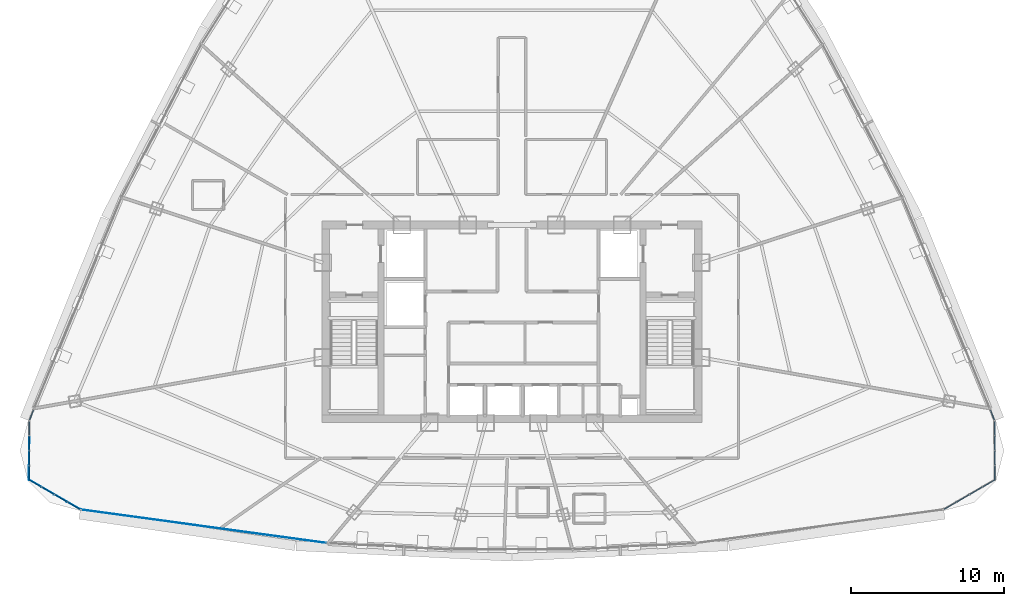
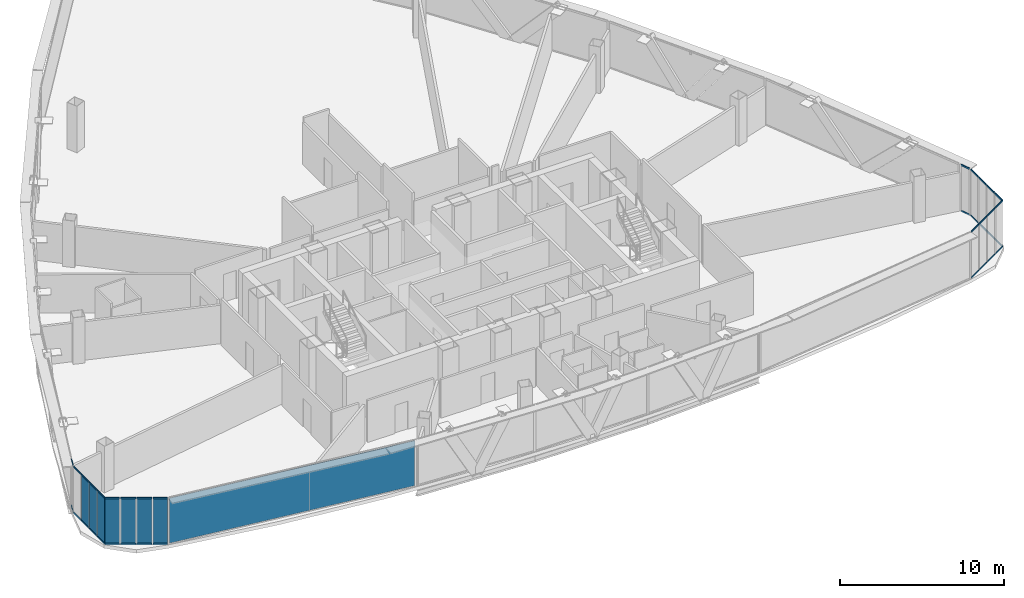
# One storey, part 29 of 39: 36 members, 8 plates, 7 elements without a shape of their own.
"""IFC4 building model written with IfcOpenShell, lengths in metres."""

import ifcopenshell
import ifcopenshell.guid

model = None  # the IFC model being written
_history = None  # IfcOwnerHistory: only IFC2X3 demands one
_inside = {}  # id of a spatial element -> (the spatial element, [elements in it])
_under = {}  # id of a project, library or spatial element -> (it, [spatial elements below it])
_declared = {}  # id of a project -> (the project, [libraries it declares])
_typed = {}  # id of a type object -> (the type object, [elements of that type])
_made_of = {}  # id of a material, layer set ... -> (it, [elements and type objects made of it])


def new_model(schema):
    """Start an empty IFC model of exactly this schema.

    Asked for "IFC4X3", IfcOpenShell would pick the latest addendum, in which some entities
    have other attributes; the version numbers below select the first issue.
    IFC2X3 requires an IfcOwnerHistory on every rooted entity: one is made here for all.
    """
    global model, _history
    if schema == "IFC4X3":
        model = ifcopenshell.file(schema_version=(4, 3, 0, 0))
    else:
        model = ifcopenshell.file(schema=schema)
    _inside.clear()
    _under.clear()
    _declared.clear()
    _typed.clear()
    _made_of.clear()
    _history = None
    if model.schema == "IFC2X3":
        org = make("IfcOrganization", Name="unknown")
        user = make(
            "IfcPersonAndOrganization",
            ThePerson=make("IfcPerson", FamilyName="unknown"),
            TheOrganization=org,
        )
        app = make(
            "IfcApplication",
            ApplicationDeveloper=org,
            Version="unknown",
            ApplicationFullName="unknown",
            ApplicationIdentifier="unknown",
        )
        _history = make(
            "IfcOwnerHistory",
            OwningUser=user,
            OwningApplication=app,
            ChangeAction="ADDED",
            CreationDate=0,
        )
    return model


def make(cls, **values):
    """One entity of the class cls with the attributes given. An attribute that is None is left unset."""
    return model.create_entity(
        cls, **{name: value for name, value in values.items() if value is not None}
    )


def rooted(cls, **values):
    """An entity with a GlobalId (a new one), such as an element, a storey or a relation."""
    return make(cls, GlobalId=ifcopenshell.guid.new(), OwnerHistory=_history, **values)


def si_unit(unit_type, name, prefix=None):
    """IfcSIUnit, for example si_unit("LENGTHUNIT", "METRE", prefix="MILLI")."""
    return make("IfcSIUnit", UnitType=unit_type, Prefix=prefix, Name=name)


def assignment(units):
    """IfcUnitAssignment: the units of a project."""
    return None if units is None else make("IfcUnitAssignment", Units=units)


def point(xyz):
    """IfcCartesianPoint."""
    return None if xyz is None else make("IfcCartesianPoint", Coordinates=xyz)


def direction(xyz):
    """IfcDirection."""
    return None if xyz is None else make("IfcDirection", DirectionRatios=xyz)


def frame(location, z_axis=None, x_axis=None):
    """IfcAxis2Placement3D, a coordinate frame: its origin and axes. An axis left out is left unset."""
    return make(
        "IfcAxis2Placement3D",
        Location=point(location),
        Axis=direction(z_axis),
        RefDirection=direction(x_axis),
    )


def frame_2d(location, x_axis=None):
    """IfcAxis2Placement2D, a coordinate frame in the plane: its origin and x axis."""
    return make(
        "IfcAxis2Placement2D", Location=point(location), RefDirection=direction(x_axis)
    )


def origin():
    """The frame at (0, 0, 0) with its axes left unset."""
    return frame((0.0, 0.0, 0.0))


def origin_2d():
    """The frame at (0, 0) in the plane with its x axis left unset."""
    return frame_2d((0.0, 0.0))


def place(relative_to, where):
    """IfcLocalPlacement: puts the frame where relative to a parent placement (None: the world)."""
    return make(
        "IfcLocalPlacement", PlacementRelTo=relative_to, RelativePlacement=where
    )


def context(
    kind, dimensions, precision=None, world=None, true_north=None, identifier=None
):
    """IfcGeometricRepresentationContext, for example the 3D "Model" context."""
    return make(
        "IfcGeometricRepresentationContext",
        ContextIdentifier=identifier,
        ContextType=kind,
        CoordinateSpaceDimension=dimensions,
        Precision=precision,
        WorldCoordinateSystem=world,
        TrueNorth=true_north,
    )


def subcontext(parent, identifier, kind, view, scale=None):
    """IfcGeometricRepresentationSubContext, for example "Body" below "Model"."""
    return make(
        "IfcGeometricRepresentationSubContext",
        ContextIdentifier=identifier,
        ContextType=kind,
        ParentContext=parent,
        TargetScale=scale,
        TargetView=view,
    )


def project(units=None, contexts=None):
    """IfcProject with its units and contexts."""
    return rooted(
        "IfcProject",
        Name="project",
        RepresentationContexts=contexts,
        UnitsInContext=assignment(units),
    )


def spatial(cls, under=None, at=None, **own):
    """A site, building, storey or space (cls), placed at a placement, below another one or the project."""
    s = rooted(cls, ObjectPlacement=at, **own)
    if under is not None:
        _under.setdefault(under.id(), (under, []))[1].append(s)
    return s


def profile(cls, at=None, kind="AREA", **sizes):
    """A parametric profile (cls). Its sizes go by their IFC names, for example OverallWidth=200.0."""
    return make(cls, ProfileType=kind, Position=at, **sizes)


def rectangle(**sizes):
    """IfcRectangleProfileDef."""
    return profile("IfcRectangleProfileDef", **sizes)


def hollow_rectangle(**sizes):
    """IfcRectangleHollowProfileDef."""
    return profile("IfcRectangleHollowProfileDef", **sizes)


def extrude(swept, where, along, depth):
    """IfcExtrudedAreaSolid: the profile swept, set in the frame where, extruded along a direction by depth."""
    return make(
        "IfcExtrudedAreaSolid",
        SweptArea=swept,
        Position=where,
        ExtrudedDirection=direction(along),
        Depth=depth,
    )


def shape(context_of_items, identifier, shape_type, items):
    """IfcShapeRepresentation: the items that make up one representation, for example the "Body"."""
    return make(
        "IfcShapeRepresentation",
        ContextOfItems=context_of_items,
        RepresentationIdentifier=identifier,
        RepresentationType=shape_type,
        Items=items,
    )


def source(mapping_origin, context_of_items, identifier, shape_type, items):
    """IfcRepresentationMap: a shape defined once, which mapped items show again and again."""
    return make(
        "IfcRepresentationMap",
        MappingOrigin=mapping_origin,
        MappedRepresentation=shape(context_of_items, identifier, shape_type, items),
    )


def transform(
    local_origin,
    x_axis=None,
    y_axis=None,
    z_axis=None,
    scale=None,
    scale2=None,
    scale3=None,
    uniform=True,
):
    """IfcCartesianTransformationOperator3D, or its non-uniform kind. x_axis, y_axis, z_axis: its Axis1, 2, 3."""
    if uniform:
        return make(
            "IfcCartesianTransformationOperator3D",
            Axis1=direction(x_axis),
            Axis2=direction(y_axis),
            LocalOrigin=point(local_origin),
            Scale=scale,
            Axis3=direction(z_axis),
        )
    return make(
        "IfcCartesianTransformationOperator3DnonUniform",
        Axis1=direction(x_axis),
        Axis2=direction(y_axis),
        LocalOrigin=point(local_origin),
        Scale=scale,
        Axis3=direction(z_axis),
        Scale2=scale2,
        Scale3=scale3,
    )


def mapped(mapping_source, mapping_target):
    """IfcMappedItem: shows the shape of a source again, moved by a transform."""
    return make(
        "IfcMappedItem", MappingSource=mapping_source, MappingTarget=mapping_target
    )


def material(Name=None, Category=None):
    """IfcMaterial."""
    return make("IfcMaterial", Name=Name, Category=Category)


def layer(
    of_material, thickness, ventilated=None, Name=None, Category=None, Priority=None
):
    """IfcMaterialLayer: one layer of a wall or slab, of a material (None: an air gap)."""
    return make(
        "IfcMaterialLayer",
        Material=of_material,
        LayerThickness=thickness,
        IsVentilated=ventilated,
        Name=Name,
        Category=Category,
        Priority=Priority,
    )


def layer_set(layers, Name=None):
    """IfcMaterialLayerSet."""
    return make("IfcMaterialLayerSet", MaterialLayers=layers, LayerSetName=Name)


def material_profile(
    of_material, cross_section, Name=None, Category=None, Priority=None
):
    """IfcMaterialProfile: a cross section and its material."""
    return make(
        "IfcMaterialProfile",
        Name=Name,
        Material=of_material,
        Profile=cross_section,
        Priority=Priority,
        Category=Category,
    )


def profile_set(profiles, Name=None, composite=None):
    """IfcMaterialProfileSet."""
    return make(
        "IfcMaterialProfileSet",
        Name=Name,
        MaterialProfiles=profiles,
        CompositeProfile=composite,
    )


def made_of(thing, what):
    """Note that an element or type object is made of a material, layer set ...; save() writes the relation."""
    if what is not None:
        _made_of.setdefault(what.id(), (what, []))[1].append(thing)
    return thing


def type_object(cls, material=None, **own):
    """A type object (cls), such as IfcWallType, which elements share."""
    return made_of(rooted(cls, **own), material)


def element(
    cls,
    number,
    at=None,
    inside=None,
    cuts=None,
    type_object=None,
    material=None,
    context=None,
    identifier="Body",
    shape_type=None,
    held_by="IfcProductDefinitionShape",
    body=None,
    shapes=None,
    **own,
):
    """One element of the class cls, such as IfcWall. Its Tag is "e" and its number.

    at: its placement. inside: the storey or other place that contains it. cuts: it is an
    opening in that element (IfcRelVoidsElement). A single representation is given by context,
    identifier, shape_type and body (its items); several are given by shapes. held_by: the class
    of the entity that holds the representations. save() writes the other relations.
    """
    e = rooted(cls, Tag="e%d" % number, ObjectPlacement=at, **own)
    if body is not None:
        shapes = [shape(context, identifier, shape_type, body)]
    if shapes is not None:
        e.Representation = make(held_by, Representations=shapes)
    if inside is not None:
        _inside.setdefault(inside.id(), (inside, []))[1].append(e)
    if cuts is not None:
        rooted(
            "IfcRelVoidsElement", RelatingBuildingElement=cuts, RelatedOpeningElement=e
        )
    if type_object is not None:
        _typed.setdefault(type_object.id(), (type_object, []))[1].append(e)
    return made_of(e, material)


def aggregate(whole, parts):
    """IfcRelAggregates: a whole, such as a stair, and the parts it consists of."""
    return rooted("IfcRelAggregates", RelatingObject=whole, RelatedObjects=parts)


def save(model, path):
    """Write the relations noted so far, then the file.

    IfcRelAggregates (storeys below a building ...), IfcRelContainedInSpatialStructure (elements
    in a storey), IfcRelDefinesByType, IfcRelAssociatesMaterial and IfcRelDeclares: one each for
    every whole, place, type object, material and project.
    """
    for whole, parts in _under.values():
        aggregate(whole, parts)
    for where, things in _inside.values():
        rooted(
            "IfcRelContainedInSpatialStructure",
            RelatedElements=things,
            RelatingStructure=where,
        )
    for kind, things in _typed.values():
        rooted("IfcRelDefinesByType", RelatedObjects=things, RelatingType=kind)
    for what, things in _made_of.values():
        rooted("IfcRelAssociatesMaterial", RelatedObjects=things, RelatingMaterial=what)
    for by, libraries in _declared.values():
        rooted("IfcRelDeclares", RelatingContext=by, RelatedDefinitions=libraries)
    model.write(path)


model = new_model("IFC4")

# Units and contexts
model_context = context("Model", 3, precision=1e-05, world=origin(), true_north=direction((0.0, 1.0)))
body_context = subcontext(model_context, "Body", "Model", "MODEL_VIEW")
ifc_project = project(units=[si_unit("LENGTHUNIT", "METRE"), si_unit("AREAUNIT", "SQUARE_METRE"), si_unit("VOLUMEUNIT", "CUBIC_METRE"), si_unit("PLANEANGLEUNIT", "RADIAN"), si_unit("MASSUNIT", "GRAM", prefix="KILO"), si_unit("THERMODYNAMICTEMPERATUREUNIT", "KELVIN"), si_unit("POWERUNIT", "WATT")], contexts=[model_context])

# Site, building, storey
site_placement = place(None, origin())
site = spatial("IfcSite", under=ifc_project, at=site_placement, CompositionType="ELEMENT")
building_placement = place(site_placement, origin())
building = spatial("IfcBuilding", under=site, at=building_placement, Name="Yunzhuo Pagoda Commons", CompositionType="ELEMENT")
storey_placement = place(building_placement, frame((0.0, 0.0, 296.2099609375)))
storey = spatial("IfcBuildingStorey", under=building, at=storey_placement, Name="L74", CompositionType="ELEMENT", Elevation=296.2099609375)

# Curtain wall, members
ifc_material_1 = material(Name="Anodized aluminium 6063-T6", Category="aluminium")
ifc_layer_1 = layer(ifc_material_1, 0.139892578125)
ifc_layer_set_1 = layer_set([ifc_layer_1], Name="Anodized aluminium 6063-T6")
curtain_wall_type_1 = type_object("IfcCurtainWallType", Name="CW-HI High-Zone Ribbon Curtain Wall", PredefinedType="NOTDEFINED", material=ifc_layer_set_1)
curtain_wall_1_placement = place(storey_placement, origin())
curtain_wall_1 = element("IfcCurtainWall", 1, at=curtain_wall_1_placement, inside=storey, type_object=curtain_wall_type_1, Name="L74 curtain wall CW-L74-F2B1", PredefinedType="NOTDEFINED")
ifc_material_profile_1 = material_profile(ifc_material_1, hollow_rectangle(XDim=0.054931640625, YDim=0.1201171875, WallThickness=0.00341796875, at=origin_2d()), Name="Anodized aluminium 6063-T6")
ifc_profile_set_1 = profile_set([ifc_material_profile_1], Name="Anodized aluminium 6063-T6")
member_type_1 = type_object("IfcMemberType", Name="CW-HI-T Transom RHS 120x55x3.5", PredefinedType="USERDEFINED", material=ifc_profile_set_1)
shared_shape_1 = source(origin(), body_context, "Body", "SweptSolid", [
    extrude(hollow_rectangle(XDim=0.054931640625, YDim=0.1201171875, WallThickness=0.00341796875, at=origin_2d()), origin(), (0.0, 0.0, 1.0), 0.668701171875),
])
member_1_placement = place(storey_placement, frame((79.623291015625, 27.426513671875, 0.027587890625), z_axis=(-0.362499110284, 0.931984117377, 0.0), x_axis=(-0.931984117377, -0.362499110284, 0.0)))
member_1 = element("IfcMember", 2, at=member_1_placement, type_object=member_type_1, Name="CW transom 1.1", ObjectType="TRANSOM", PredefinedType="USERDEFINED", context=body_context, shape_type="MappedRepresentation", body=[
    mapped(shared_shape_1, transform((0.0, 0.0, 0.0), scale=1.0)),
])
member_2_placement = place(storey_placement, frame((79.623291015625, 27.426513671875, 3.442626953125), z_axis=(-0.362499110284, 0.931984117377, 0.0), x_axis=(-0.931984117377, -0.362499110284, 0.0)))
member_2 = element("IfcMember", 3, at=member_2_placement, type_object=member_type_1, Name="CW transom 1.2", ObjectType="TRANSOM", PredefinedType="USERDEFINED", context=body_context, shape_type="MappedRepresentation", body=[
    mapped(shared_shape_1, transform((0.0, 0.0, 0.0), scale=1.0)),
])
aggregate(curtain_wall_1, [member_1, member_2])

curtain_wall_2_placement = place(storey_placement, origin())
curtain_wall_2 = element("IfcCurtainWall", 4, at=curtain_wall_2_placement, inside=storey, type_object=curtain_wall_type_1, Name="L74 curtain wall CW-L74-F3B5", PredefinedType="NOTDEFINED")
member_3_placement = place(storey_placement, frame((16.619140625, 28.0498046875, 0.027587890625), z_axis=(-0.362499110284, -0.931984117377, 0.0), x_axis=(0.931984117377, -0.362499110284, 0.0)))
member_3 = element("IfcMember", 5, at=member_3_placement, type_object=member_type_1, Name="CW transom 1.1", ObjectType="TRANSOM", PredefinedType="USERDEFINED", context=body_context, shape_type="MappedRepresentation", body=[
    mapped(shared_shape_1, transform((0.0, 0.0, 0.0), scale=1.0)),
])
member_4_placement = place(storey_placement, frame((16.619140625, 28.0498046875, 3.442626953125), z_axis=(-0.362499110284, -0.931984117377, 0.0), x_axis=(0.931984117377, -0.362499110284, 0.0)))
member_4 = element("IfcMember", 6, at=member_4_placement, type_object=member_type_1, Name="CW transom 1.2", ObjectType="TRANSOM", PredefinedType="USERDEFINED", context=body_context, shape_type="MappedRepresentation", body=[
    mapped(shared_shape_1, transform((0.0, 0.0, 0.0), scale=1.0)),
])
aggregate(curtain_wall_2, [member_3, member_4])

ifc_layer_2 = layer(ifc_material_1, 0.1298828125)
ifc_layer_set_2 = layer_set([ifc_layer_2], Name="Anodized aluminium 6063-T6")
curtain_wall_type_2 = type_object("IfcCurtainWallType", Name="CW-VTX Rounded Corner Curtain Wall", PredefinedType="NOTDEFINED", material=ifc_layer_set_2)
curtain_wall_3_placement = place(storey_placement, origin())
curtain_wall_3 = element("IfcCurtainWall", 7, at=curtain_wall_3_placement, inside=storey, type_object=curtain_wall_type_2, Name="L74 curtain wall CW-L74-VTX1S1", PredefinedType="NOTDEFINED")
ifc_material_profile_2 = material_profile(ifc_material_1, hollow_rectangle(XDim=0.054931640625, YDim=0.1201171875, WallThickness=0.00341796875, at=origin_2d()), Name="Anodized aluminium 6063-T6")
ifc_profile_set_2 = profile_set([ifc_material_profile_2], Name="Anodized aluminium 6063-T6")
member_type_2 = type_object("IfcMemberType", Name="CW-VTX-T Transom RHS 120x55x3.5", PredefinedType="USERDEFINED", material=ifc_profile_set_2)
shared_shape_2 = source(origin(), body_context, "Body", "SweptSolid", [
    extrude(hollow_rectangle(XDim=0.054931640625, YDim=0.1201171875, WallThickness=0.00341796875, at=origin_2d()), origin(), (0.0, 0.0, 1.0), 0.8994140625),
])
member_5_placement = place(storey_placement, frame((16.354736328125, 27.3154296875, 0.027587890625), z_axis=(-0.00325731171, -0.999994694946, 0.0), x_axis=(0.999994694946, -0.00325731171, 0.0)))
member_5 = element("IfcMember", 8, at=member_5_placement, type_object=member_type_2, Name="CW transom 1.1", ObjectType="TRANSOM", PredefinedType="USERDEFINED", context=body_context, shape_type="MappedRepresentation", body=[
    mapped(shared_shape_2, transform((0.0, 0.0, 0.0), scale=1.0)),
])
member_6_placement = place(storey_placement, frame((16.354736328125, 27.3154296875, 3.442626953125), z_axis=(-0.00325731171, -0.999994694946, 0.0), x_axis=(0.999994694946, -0.00325731171, 0.0)))
member_6 = element("IfcMember", 9, at=member_6_placement, type_object=member_type_2, Name="CW transom 1.2", ObjectType="TRANSOM", PredefinedType="USERDEFINED", context=body_context, shape_type="MappedRepresentation", body=[
    mapped(shared_shape_2, transform((0.0, 0.0, 0.0), scale=1.0)),
])
member_7_placement = place(storey_placement, frame((16.34423828125, 24.397216796875, 0.027587890625), z_axis=(-0.00325731171, -0.999994694946, 0.0), x_axis=(0.999994694946, -0.00325731171, 0.0)))
member_7 = element("IfcMember", 10, at=member_7_placement, type_object=member_type_2, Name="CW transom 4.1", ObjectType="TRANSOM", PredefinedType="USERDEFINED", context=body_context, shape_type="MappedRepresentation", body=[
    mapped(shared_shape_2, transform((0.0, 0.0, 0.0), scale=1.0)),
])
member_8_placement = place(storey_placement, frame((16.34423828125, 24.397216796875, 3.442626953125), z_axis=(-0.00325731171, -0.999994694946, 0.0), x_axis=(0.999994694946, -0.00325731171, 0.0)))
member_8 = element("IfcMember", 11, at=member_8_placement, type_object=member_type_2, Name="CW transom 4.2", ObjectType="TRANSOM", PredefinedType="USERDEFINED", context=body_context, shape_type="MappedRepresentation", body=[
    mapped(shared_shape_2, transform((0.0, 0.0, 0.0), scale=1.0)),
])

curtain_wall_4_placement = place(storey_placement, origin())
curtain_wall_4 = element("IfcCurtainWall", 12, at=curtain_wall_4_placement, inside=storey, type_object=curtain_wall_type_2, Name="L74 curtain wall CW-L74-VTX1S2", PredefinedType="NOTDEFINED")
member_9_placement = place(storey_placement, frame((16.348388671875, 23.484619140625, 0.027587890625), z_axis=(0.865574911802, -0.500779464495, 0.0), x_axis=(0.500779464495, 0.865574911802, 0.0)))
member_9 = element("IfcMember", 13, at=member_9_placement, type_object=member_type_2, Name="CW transom 1.1", ObjectType="TRANSOM", PredefinedType="USERDEFINED", context=body_context, shape_type="MappedRepresentation", body=[
    mapped(shared_shape_2, transform((0.0, 0.0, 0.0), scale=1.0)),
])
member_10_placement = place(storey_placement, frame((16.348388671875, 23.484619140625, 3.442626953125), z_axis=(0.865574911802, -0.500779464495, 0.0), x_axis=(0.500779464495, 0.865574911802, 0.0)))
member_10 = element("IfcMember", 14, at=member_10_placement, type_object=member_type_2, Name="CW transom 1.2", ObjectType="TRANSOM", PredefinedType="USERDEFINED", context=body_context, shape_type="MappedRepresentation", body=[
    mapped(shared_shape_2, transform((0.0, 0.0, 0.0), scale=1.0)),
])

curtain_wall_5_placement = place(storey_placement, origin())
curtain_wall_5 = element("IfcCurtainWall", 15, at=curtain_wall_5_placement, inside=storey, type_object=curtain_wall_type_2, Name="L74 curtain wall CW-L74-VTX2S1", PredefinedType="NOTDEFINED")
member_11_placement = place(storey_placement, frame((78.873046875, 23.0341796875, 0.027587890625), z_axis=(0.865574911802, 0.500779464495, 0.0), x_axis=(-0.500779464495, 0.865574911802, 0.0)))
member_11 = element("IfcMember", 16, at=member_11_placement, type_object=member_type_2, Name="CW transom 4.1", ObjectType="TRANSOM", PredefinedType="USERDEFINED", context=body_context, shape_type="MappedRepresentation", body=[
    mapped(shared_shape_2, transform((0.0, 0.0, 0.0), scale=1.0)),
])
member_12_placement = place(storey_placement, frame((78.873046875, 23.0341796875, 3.442626953125), z_axis=(0.865574911802, 0.500779464495, 0.0), x_axis=(-0.500779464495, 0.865574911802, 0.0)))
member_12 = element("IfcMember", 17, at=member_12_placement, type_object=member_type_2, Name="CW transom 4.2", ObjectType="TRANSOM", PredefinedType="USERDEFINED", context=body_context, shape_type="MappedRepresentation", body=[
    mapped(shared_shape_2, transform((0.0, 0.0, 0.0), scale=1.0)),
])

curtain_wall_6_placement = place(storey_placement, origin())
curtain_wall_6 = element("IfcCurtainWall", 18, at=curtain_wall_6_placement, inside=storey, type_object=curtain_wall_type_2, Name="L74 curtain wall CW-L74-VTX2S2", PredefinedType="NOTDEFINED")
member_13_placement = place(storey_placement, frame((79.6591796875, 23.497802734375, 0.027587890625), z_axis=(-0.003800189715, 0.999992779253, 0.0), x_axis=(-0.999992779253, -0.003800189715, 0.0)))
member_13 = element("IfcMember", 19, at=member_13_placement, type_object=member_type_2, Name="CW transom 1.1", ObjectType="TRANSOM", PredefinedType="USERDEFINED", context=body_context, shape_type="MappedRepresentation", body=[
    mapped(shared_shape_2, transform((0.0, 0.0, 0.0), scale=1.0)),
])
member_14_placement = place(storey_placement, frame((79.6591796875, 23.497802734375, 3.442626953125), z_axis=(-0.003800189715, 0.999992779253, 0.0), x_axis=(-0.999992779253, -0.003800189715, 0.0)))
member_14 = element("IfcMember", 20, at=member_14_placement, type_object=member_type_2, Name="CW transom 1.2", ObjectType="TRANSOM", PredefinedType="USERDEFINED", context=body_context, shape_type="MappedRepresentation", body=[
    mapped(shared_shape_2, transform((0.0, 0.0, 0.0), scale=1.0)),
])
member_15_placement = place(storey_placement, frame((79.648681640625, 26.416015625, 0.027587890625), z_axis=(-0.003800189715, 0.999992779253, 0.0), x_axis=(-0.999992779253, -0.003800189715, 0.0)))
member_15 = element("IfcMember", 21, at=member_15_placement, type_object=member_type_2, Name="CW transom 4.1", ObjectType="TRANSOM", PredefinedType="USERDEFINED", context=body_context, shape_type="MappedRepresentation", body=[
    mapped(shared_shape_2, transform((0.0, 0.0, 0.0), scale=1.0)),
])
member_16_placement = place(storey_placement, frame((79.648681640625, 26.416015625, 3.442626953125), z_axis=(-0.003800189715, 0.999992779253, 0.0), x_axis=(-0.999992779253, -0.003800189715, 0.0)))
member_16 = element("IfcMember", 22, at=member_16_placement, type_object=member_type_2, Name="CW transom 4.2", ObjectType="TRANSOM", PredefinedType="USERDEFINED", context=body_context, shape_type="MappedRepresentation", body=[
    mapped(shared_shape_2, transform((0.0, 0.0, 0.0), scale=1.0)),
])

# Member
shared_shape_3 = source(origin(), body_context, "Body", "SweptSolid", [
    extrude(hollow_rectangle(XDim=0.054931640625, YDim=0.1201171875, WallThickness=0.00341796875, at=origin_2d()), origin(), (0.0, 0.0, 1.0), 0.9267578125),
])
member_17_placement = place(storey_placement, frame((16.351318359375, 26.36083984375, 0.027587890625), z_axis=(-0.003688067647, -0.999993199055, 0.0), x_axis=(0.999993199055, -0.003688067647, 0.0)))
member_17 = element("IfcMember", 23, at=member_17_placement, type_object=member_type_2, Name="CW transom 2.1", ObjectType="TRANSOM", PredefinedType="USERDEFINED", context=body_context, shape_type="MappedRepresentation", body=[
    mapped(shared_shape_3, transform((0.0, 0.0, 0.0), scale=1.0)),
])

member_18_placement = place(storey_placement, frame((16.351318359375, 26.36083984375, 3.442626953125), z_axis=(-0.003688067647, -0.999993199055, 0.0), x_axis=(0.999993199055, -0.003688067647, 0.0)))
member_18 = element("IfcMember", 24, at=member_18_placement, type_object=member_type_2, Name="CW transom 2.2", ObjectType="TRANSOM", PredefinedType="USERDEFINED", context=body_context, shape_type="MappedRepresentation", body=[
    mapped(shared_shape_3, transform((0.0, 0.0, 0.0), scale=1.0)),
])

member_19_placement = place(storey_placement, frame((16.34765625, 25.37890625, 0.027587890625), z_axis=(-0.003424637452, -0.999994135912, 0.0), x_axis=(0.999994135912, -0.003424637452, 0.0)))
member_19 = element("IfcMember", 25, at=member_19_placement, type_object=member_type_2, Name="CW transom 3.1", ObjectType="TRANSOM", PredefinedType="USERDEFINED", context=body_context, shape_type="MappedRepresentation", body=[
    mapped(shared_shape_3, transform((0.0, 0.0, 0.0), scale=1.0)),
])

member_20_placement = place(storey_placement, frame((16.34765625, 25.37890625, 3.442626953125), z_axis=(-0.003424637452, -0.999994135912, 0.0), x_axis=(0.999994135912, -0.003424637452, 0.0)))
member_20 = element("IfcMember", 26, at=member_20_placement, type_object=member_type_2, Name="CW transom 3.2", ObjectType="TRANSOM", PredefinedType="USERDEFINED", context=body_context, shape_type="MappedRepresentation", body=[
    mapped(shared_shape_3, transform((0.0, 0.0, 0.0), scale=1.0)),
])

member_21_placement = place(storey_placement, frame((17.1748046875, 23.006591796875, 0.027587890625), z_axis=(0.865294005039, -0.501264685415, 0.0), x_axis=(0.501264685415, 0.865294005039, 0.0)))
member_21 = element("IfcMember", 27, at=member_21_placement, type_object=member_type_2, Name="CW transom 2.1", ObjectType="TRANSOM", PredefinedType="USERDEFINED", context=body_context, shape_type="MappedRepresentation", body=[
    mapped(shared_shape_3, transform((0.0, 0.0, 0.0), scale=1.0)),
])

member_22_placement = place(storey_placement, frame((17.1748046875, 23.006591796875, 3.442626953125), z_axis=(0.865294005039, -0.501264685415, 0.0), x_axis=(0.501264685415, 0.865294005039, 0.0)))
member_22 = element("IfcMember", 28, at=member_22_placement, type_object=member_type_2, Name="CW transom 2.2", ObjectType="TRANSOM", PredefinedType="USERDEFINED", context=body_context, shape_type="MappedRepresentation", body=[
    mapped(shared_shape_3, transform((0.0, 0.0, 0.0), scale=1.0)),
])

member_23_placement = place(storey_placement, frame((78.023681640625, 22.5419921875, 0.027587890625), z_axis=(0.865294005039, 0.501264685415, 0.0), x_axis=(-0.501264685415, 0.865294005039, 0.0)))
member_23 = element("IfcMember", 29, at=member_23_placement, type_object=member_type_2, Name="CW transom 3.1", ObjectType="TRANSOM", PredefinedType="USERDEFINED", context=body_context, shape_type="MappedRepresentation", body=[
    mapped(shared_shape_3, transform((0.0, 0.0, 0.0), scale=1.0)),
])

member_24_placement = place(storey_placement, frame((78.023681640625, 22.5419921875, 3.442626953125), z_axis=(0.865294005039, 0.501264685415, 0.0), x_axis=(-0.501264685415, 0.865294005039, 0.0)))
member_24 = element("IfcMember", 30, at=member_24_placement, type_object=member_type_2, Name="CW transom 3.2", ObjectType="TRANSOM", PredefinedType="USERDEFINED", context=body_context, shape_type="MappedRepresentation", body=[
    mapped(shared_shape_3, transform((0.0, 0.0, 0.0), scale=1.0)),
])

member_25_placement = place(storey_placement, frame((79.655517578125, 24.4521484375, 0.027587890625), z_axis=(-0.003424637452, 0.999994135912, 0.0), x_axis=(-0.999994135912, -0.003424637452, 0.0)))
member_25 = element("IfcMember", 31, at=member_25_placement, type_object=member_type_2, Name="CW transom 2.1", ObjectType="TRANSOM", PredefinedType="USERDEFINED", context=body_context, shape_type="MappedRepresentation", body=[
    mapped(shared_shape_3, transform((0.0, 0.0, 0.0), scale=1.0)),
])

member_26_placement = place(storey_placement, frame((79.655517578125, 24.4521484375, 3.442626953125), z_axis=(-0.003424637452, 0.999994135912, 0.0), x_axis=(-0.999994135912, -0.003424637452, 0.0)))
member_26 = element("IfcMember", 32, at=member_26_placement, type_object=member_type_2, Name="CW transom 2.2", ObjectType="TRANSOM", PredefinedType="USERDEFINED", context=body_context, shape_type="MappedRepresentation", body=[
    mapped(shared_shape_3, transform((0.0, 0.0, 0.0), scale=1.0)),
])

member_27_placement = place(storey_placement, frame((79.652099609375, 25.43408203125, 0.027587890625), z_axis=(-0.003688067647, 0.999993199055, 0.0), x_axis=(-0.999993199055, -0.003688067647, 0.0)))
member_27 = element("IfcMember", 33, at=member_27_placement, type_object=member_type_2, Name="CW transom 3.1", ObjectType="TRANSOM", PredefinedType="USERDEFINED", context=body_context, shape_type="MappedRepresentation", body=[
    mapped(shared_shape_3, transform((0.0, 0.0, 0.0), scale=1.0)),
])

member_28_placement = place(storey_placement, frame((79.652099609375, 25.43408203125, 3.442626953125), z_axis=(-0.003688067647, 0.999993199055, 0.0), x_axis=(-0.999993199055, -0.003688067647, 0.0)))
member_28 = element("IfcMember", 34, at=member_28_placement, type_object=member_type_2, Name="CW transom 3.2", ObjectType="TRANSOM", PredefinedType="USERDEFINED", context=body_context, shape_type="MappedRepresentation", body=[
    mapped(shared_shape_3, transform((0.0, 0.0, 0.0), scale=1.0)),
])

aggregate(curtain_wall_6, [member_13, member_14, member_25, member_26, member_27, member_28, member_15, member_16])

shared_shape_4 = source(origin(), body_context, "Body", "SweptSolid", [
    extrude(hollow_rectangle(XDim=0.054931640625, YDim=0.1201171875, WallThickness=0.00341796875, at=origin_2d()), origin(), (0.0, 0.0, 1.0), 0.927001953125),
])
member_29_placement = place(storey_placement, frame((18.024169921875, 22.514404296875, 0.027587890625), z_axis=(0.865474367898, -0.500953209903, 0.0), x_axis=(0.500953209903, 0.865474367898, 0.0)))
member_29 = element("IfcMember", 35, at=member_29_placement, type_object=member_type_2, Name="CW transom 3.1", ObjectType="TRANSOM", PredefinedType="USERDEFINED", context=body_context, shape_type="MappedRepresentation", body=[
    mapped(shared_shape_4, transform((0.0, 0.0, 0.0), scale=1.0)),
])

member_30_placement = place(storey_placement, frame((18.024169921875, 22.514404296875, 3.442626953125), z_axis=(0.865474367898, -0.500953209903, 0.0), x_axis=(0.500953209903, 0.865474367898, 0.0)))
member_30 = element("IfcMember", 36, at=member_30_placement, type_object=member_type_2, Name="CW transom 3.2", ObjectType="TRANSOM", PredefinedType="USERDEFINED", context=body_context, shape_type="MappedRepresentation", body=[
    mapped(shared_shape_4, transform((0.0, 0.0, 0.0), scale=1.0)),
])

member_31_placement = place(storey_placement, frame((77.173583984375, 22.050048828125, 0.027587890625), z_axis=(0.865474367898, 0.500953209903, 0.0), x_axis=(-0.500953209903, 0.865474367898, 0.0)))
member_31 = element("IfcMember", 37, at=member_31_placement, type_object=member_type_2, Name="CW transom 2.1", ObjectType="TRANSOM", PredefinedType="USERDEFINED", context=body_context, shape_type="MappedRepresentation", body=[
    mapped(shared_shape_4, transform((0.0, 0.0, 0.0), scale=1.0)),
])

member_32_placement = place(storey_placement, frame((77.173583984375, 22.050048828125, 3.442626953125), z_axis=(0.865474367898, 0.500953209903, 0.0), x_axis=(-0.500953209903, 0.865474367898, 0.0)))
member_32 = element("IfcMember", 38, at=member_32_placement, type_object=member_type_2, Name="CW transom 2.2", ObjectType="TRANSOM", PredefinedType="USERDEFINED", context=body_context, shape_type="MappedRepresentation", body=[
    mapped(shared_shape_4, transform((0.0, 0.0, 0.0), scale=1.0)),
])

shared_shape_5 = source(origin(), body_context, "Body", "SweptSolid", [
    extrude(hollow_rectangle(XDim=0.054931640625, YDim=0.1201171875, WallThickness=0.00341796875, at=origin_2d()), origin(), (0.0, 0.0, 1.0), 0.899169921875),
])
member_33_placement = place(storey_placement, frame((18.8740234375, 22.0224609375, 0.027587890625), z_axis=(0.865624510465, -0.500693725627, 0.0), x_axis=(0.500693725627, 0.865624510465, 0.0)))
member_33 = element("IfcMember", 39, at=member_33_placement, type_object=member_type_2, Name="CW transom 4.1", ObjectType="TRANSOM", PredefinedType="USERDEFINED", context=body_context, shape_type="MappedRepresentation", body=[
    mapped(shared_shape_5, transform((0.0, 0.0, 0.0), scale=1.0)),
])

member_34_placement = place(storey_placement, frame((18.8740234375, 22.0224609375, 3.442626953125), z_axis=(0.865624510465, -0.500693725627, 0.0), x_axis=(0.500693725627, 0.865624510465, 0.0)))
member_34 = element("IfcMember", 40, at=member_34_placement, type_object=member_type_2, Name="CW transom 4.2", ObjectType="TRANSOM", PredefinedType="USERDEFINED", context=body_context, shape_type="MappedRepresentation", body=[
    mapped(shared_shape_5, transform((0.0, 0.0, 0.0), scale=1.0)),
])

member_35_placement = place(storey_placement, frame((76.34765625, 21.572265625, 0.027587890625), z_axis=(0.865624510465, 0.500693725627, 0.0), x_axis=(-0.500693725627, 0.865624510465, 0.0)))
member_35 = element("IfcMember", 41, at=member_35_placement, type_object=member_type_2, Name="CW transom 1.1", ObjectType="TRANSOM", PredefinedType="USERDEFINED", context=body_context, shape_type="MappedRepresentation", body=[
    mapped(shared_shape_5, transform((0.0, 0.0, 0.0), scale=1.0)),
])

member_36_placement = place(storey_placement, frame((76.34765625, 21.572265625, 3.442626953125), z_axis=(0.865624510465, 0.500693725627, 0.0), x_axis=(-0.500693725627, 0.865624510465, 0.0)))
member_36 = element("IfcMember", 42, at=member_36_placement, type_object=member_type_2, Name="CW transom 1.2", ObjectType="TRANSOM", PredefinedType="USERDEFINED", context=body_context, shape_type="MappedRepresentation", body=[
    mapped(shared_shape_5, transform((0.0, 0.0, 0.0), scale=1.0)),
])

aggregate(curtain_wall_5, [member_35, member_36, member_31, member_32, member_23, member_24, member_11, member_12])

# Curtain wall, plate
curtain_wall_7_placement = place(storey_placement, origin())
curtain_wall_7 = element("IfcCurtainWall", 43, at=curtain_wall_7_placement, inside=storey, type_object=curtain_wall_type_1, Name="L74 curtain wall CW-L74-F1B1", PredefinedType="NOTDEFINED")
ifc_material_2 = material(Name="Tempered low-e double glazing", Category="glass")
ifc_layer_3 = layer(ifc_material_2, 0.02587890625)
ifc_layer_set_3 = layer_set([ifc_layer_3], Name="Tempered low-e double glazing")
plate_type_1 = type_object("IfcPlateType", Name="CW-HI-P Low-E Double Glazing 26", PredefinedType="CURTAIN_PANEL", material=ifc_layer_set_3)
shared_shape_6 = source(origin(), body_context, "Body", "SweptSolid", [
    extrude(rectangle(XDim=16.199951171875, YDim=0.028076171875, at=origin_2d()), origin(), (0.0, 0.0, 1.0), 3.360107421875),
])
plate_1_placement = place(storey_placement, frame((27.785400390625, 20.444091796875, 0.05517578125), z_axis=(0.0, 0.0, 1.0), x_axis=(0.99086548222, -0.134853980826, 0.0)))
plate_1 = element("IfcPlate", 44, at=plate_1_placement, type_object=plate_type_1, Name="CW panel 1.1", PredefinedType="CURTAIN_PANEL", context=body_context, shape_type="MappedRepresentation", body=[
    mapped(shared_shape_6, transform((0.0, 0.0, 0.0), scale=1.0)),
])
aggregate(curtain_wall_7, [plate_1])

# Plate
ifc_layer_4 = layer(ifc_material_2, 0.02587890625)
ifc_layer_set_4 = layer_set([ifc_layer_4], Name="Tempered low-e double glazing")
plate_type_2 = type_object("IfcPlateType", Name="CW-VTX-P Low-E Double Glazing 26", PredefinedType="CURTAIN_PANEL", material=ifc_layer_set_4)
shared_shape_7 = source(origin(), body_context, "Body", "SweptSolid", [
    extrude(rectangle(XDim=0.8994140625, YDim=0.028076171875, at=origin_2d()), origin(), (0.0, 0.0, 1.0), 3.360107421875),
])
plate_2_placement = place(storey_placement, frame((16.342529296875, 23.947509765625, 0.05517578125), z_axis=(0.0, 0.0, 1.0), x_axis=(-0.003589955472, -0.999993556089, 0.0)))
plate_2 = element("IfcPlate", 45, at=plate_2_placement, type_object=plate_type_2, Name="CW panel 4.1", PredefinedType="CURTAIN_PANEL", context=body_context, shape_type="MappedRepresentation", body=[
    mapped(shared_shape_7, transform((0.0, 0.0, 0.0), scale=1.0)),
])

plate_3_placement = place(storey_placement, frame((16.73779296875, 23.25927734375, 0.05517578125), z_axis=(0.0, 0.0, 1.0), x_axis=(0.86543732532, -0.501017201245, 0.0)))
plate_3 = element("IfcPlate", 46, at=plate_3_placement, type_object=plate_type_2, Name="CW panel 1.1", PredefinedType="CURTAIN_PANEL", context=body_context, shape_type="MappedRepresentation", body=[
    mapped(shared_shape_7, transform((0.0, 0.0, 0.0), scale=1.0)),
])

plate_4_placement = place(storey_placement, frame((19.26318359375, 21.79736328125, 0.05517578125), z_axis=(0.0, 0.0, 1.0), x_axis=(0.86543732532, -0.501017201245, 0.0)))
plate_4 = element("IfcPlate", 47, at=plate_4_placement, type_object=plate_type_2, Name="CW panel 4.1", PredefinedType="CURTAIN_PANEL", context=body_context, shape_type="MappedRepresentation", body=[
    mapped(shared_shape_7, transform((0.0, 0.0, 0.0), scale=1.0)),
])

shared_shape_8 = source(origin(), body_context, "Body", "SweptSolid", [
    extrude(rectangle(XDim=0.927001953125, YDim=0.028076171875, at=origin_2d()), origin(), (0.0, 0.0, 1.0), 3.360107421875),
])
plate_5_placement = place(storey_placement, frame((16.349609375, 25.8974609375, 0.05517578125), z_axis=(0.0, 0.0, 1.0), x_axis=(-0.003589955472, -0.999993556089, 0.0)))
plate_5 = element("IfcPlate", 48, at=plate_5_placement, type_object=plate_type_2, Name="CW panel 2.1", PredefinedType="CURTAIN_PANEL", context=body_context, shape_type="MappedRepresentation", body=[
    mapped(shared_shape_8, transform((0.0, 0.0, 0.0), scale=1.0)),
])

plate_6_placement = place(storey_placement, frame((16.34619140625, 24.91552734375, 0.05517578125), z_axis=(0.0, 0.0, 1.0), x_axis=(-0.003589955472, -0.999993556089, 0.0)))
plate_6 = element("IfcPlate", 49, at=plate_6_placement, type_object=plate_type_2, Name="CW panel 3.1", PredefinedType="CURTAIN_PANEL", context=body_context, shape_type="MappedRepresentation", body=[
    mapped(shared_shape_8, transform((0.0, 0.0, 0.0), scale=1.0)),
])

aggregate(curtain_wall_3, [member_5, member_6, member_17, member_18, plate_5, member_19, member_20, plate_6, member_7, member_8, plate_2])

plate_7_placement = place(storey_placement, frame((17.57568359375, 22.774169921875, 0.05517578125), z_axis=(0.0, 0.0, 1.0), x_axis=(0.86543732532, -0.501017201245, 0.0)))
plate_7 = element("IfcPlate", 50, at=plate_7_placement, type_object=plate_type_2, Name="CW panel 2.1", PredefinedType="CURTAIN_PANEL", context=body_context, shape_type="MappedRepresentation", body=[
    mapped(shared_shape_8, transform((0.0, 0.0, 0.0), scale=1.0)),
])

plate_8_placement = place(storey_placement, frame((18.42529296875, 22.2822265625, 0.05517578125), z_axis=(0.0, 0.0, 1.0), x_axis=(0.86543732532, -0.501017201245, 0.0)))
plate_8 = element("IfcPlate", 51, at=plate_8_placement, type_object=plate_type_2, Name="CW panel 3.1", PredefinedType="CURTAIN_PANEL", context=body_context, shape_type="MappedRepresentation", body=[
    mapped(shared_shape_8, transform((0.0, 0.0, 0.0), scale=1.0)),
])

aggregate(curtain_wall_4, [member_9, member_10, plate_3, member_21, member_22, plate_7, member_29, member_30, plate_8, member_33, member_34, plate_4])

save(model, "model.ifc")
